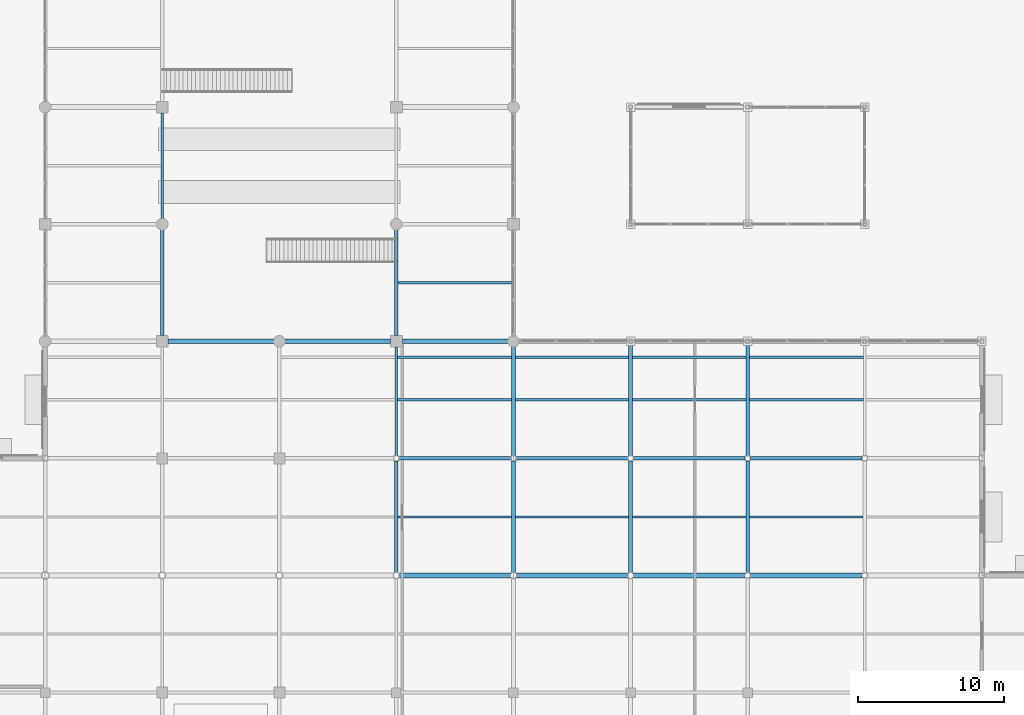
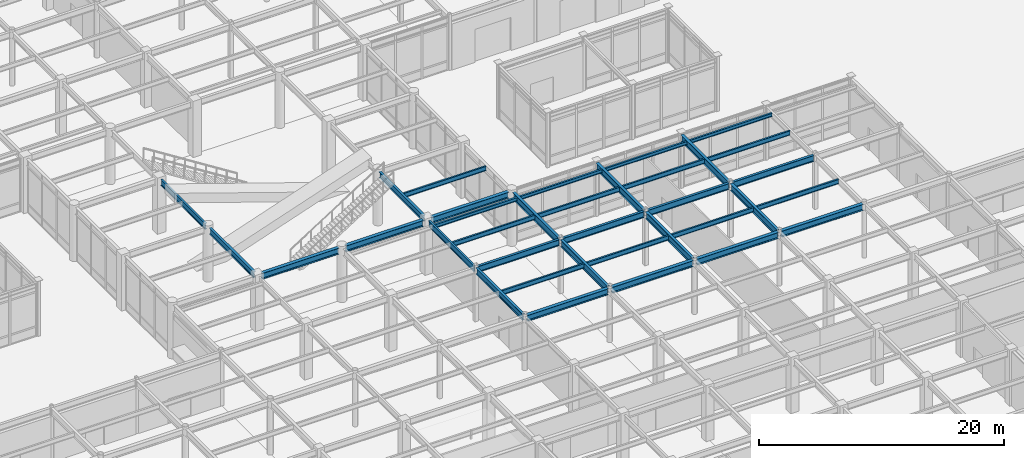
# One storey, part 52 of 128: 35 beams.
"""IFC4 building model written with IfcOpenShell, lengths in metres."""

import ifcopenshell
import ifcopenshell.guid

model = None  # the IFC model being written
_history = None  # IfcOwnerHistory: only IFC2X3 demands one
_inside = {}  # id of a spatial element -> (the spatial element, [elements in it])
_under = {}  # id of a project, library or spatial element -> (it, [spatial elements below it])
_declared = {}  # id of a project -> (the project, [libraries it declares])
_typed = {}  # id of a type object -> (the type object, [elements of that type])
_made_of = {}  # id of a material, layer set ... -> (it, [elements and type objects made of it])


def new_model(schema):
    """Start an empty IFC model of exactly this schema.

    Asked for "IFC4X3", IfcOpenShell would pick the latest addendum, in which some entities
    have other attributes; the version numbers below select the first issue.
    IFC2X3 requires an IfcOwnerHistory on every rooted entity: one is made here for all.
    """
    global model, _history
    if schema == "IFC4X3":
        model = ifcopenshell.file(schema_version=(4, 3, 0, 0))
    else:
        model = ifcopenshell.file(schema=schema)
    _inside.clear()
    _under.clear()
    _declared.clear()
    _typed.clear()
    _made_of.clear()
    _history = None
    if model.schema == "IFC2X3":
        org = make("IfcOrganization", Name="unknown")
        user = make(
            "IfcPersonAndOrganization",
            ThePerson=make("IfcPerson", FamilyName="unknown"),
            TheOrganization=org,
        )
        app = make(
            "IfcApplication",
            ApplicationDeveloper=org,
            Version="unknown",
            ApplicationFullName="unknown",
            ApplicationIdentifier="unknown",
        )
        _history = make(
            "IfcOwnerHistory",
            OwningUser=user,
            OwningApplication=app,
            ChangeAction="ADDED",
            CreationDate=0,
        )
    return model


def make(cls, **values):
    """One entity of the class cls with the attributes given. An attribute that is None is left unset."""
    return model.create_entity(
        cls, **{name: value for name, value in values.items() if value is not None}
    )


def rooted(cls, **values):
    """An entity with a GlobalId (a new one), such as an element, a storey or a relation."""
    return make(cls, GlobalId=ifcopenshell.guid.new(), OwnerHistory=_history, **values)


def si_unit(unit_type, name, prefix=None):
    """IfcSIUnit, for example si_unit("LENGTHUNIT", "METRE", prefix="MILLI")."""
    return make("IfcSIUnit", UnitType=unit_type, Prefix=prefix, Name=name)


def assignment(units):
    """IfcUnitAssignment: the units of a project."""
    return None if units is None else make("IfcUnitAssignment", Units=units)


def point(xyz):
    """IfcCartesianPoint."""
    return None if xyz is None else make("IfcCartesianPoint", Coordinates=xyz)


def direction(xyz):
    """IfcDirection."""
    return None if xyz is None else make("IfcDirection", DirectionRatios=xyz)


def frame(location, z_axis=None, x_axis=None):
    """IfcAxis2Placement3D, a coordinate frame: its origin and axes. An axis left out is left unset."""
    return make(
        "IfcAxis2Placement3D",
        Location=point(location),
        Axis=direction(z_axis),
        RefDirection=direction(x_axis),
    )


def frame_2d(location, x_axis=None):
    """IfcAxis2Placement2D, a coordinate frame in the plane: its origin and x axis."""
    return make(
        "IfcAxis2Placement2D", Location=point(location), RefDirection=direction(x_axis)
    )


def origin():
    """The frame at (0, 0, 0) with its axes left unset."""
    return frame((0.0, 0.0, 0.0))


def origin_2d():
    """The frame at (0, 0) in the plane with its x axis left unset."""
    return frame_2d((0.0, 0.0))


def place(relative_to, where):
    """IfcLocalPlacement: puts the frame where relative to a parent placement (None: the world)."""
    return make(
        "IfcLocalPlacement", PlacementRelTo=relative_to, RelativePlacement=where
    )


def context(
    kind, dimensions, precision=None, world=None, true_north=None, identifier=None
):
    """IfcGeometricRepresentationContext, for example the 3D "Model" context."""
    return make(
        "IfcGeometricRepresentationContext",
        ContextIdentifier=identifier,
        ContextType=kind,
        CoordinateSpaceDimension=dimensions,
        Precision=precision,
        WorldCoordinateSystem=world,
        TrueNorth=true_north,
    )


def subcontext(parent, identifier, kind, view, scale=None):
    """IfcGeometricRepresentationSubContext, for example "Body" below "Model"."""
    return make(
        "IfcGeometricRepresentationSubContext",
        ContextIdentifier=identifier,
        ContextType=kind,
        ParentContext=parent,
        TargetScale=scale,
        TargetView=view,
    )


def project(units=None, contexts=None):
    """IfcProject with its units and contexts."""
    return rooted(
        "IfcProject",
        Name="project",
        RepresentationContexts=contexts,
        UnitsInContext=assignment(units),
    )


def spatial(cls, under=None, at=None, **own):
    """A site, building, storey or space (cls), placed at a placement, below another one or the project."""
    s = rooted(cls, ObjectPlacement=at, **own)
    if under is not None:
        _under.setdefault(under.id(), (under, []))[1].append(s)
    return s


def profile(cls, at=None, kind="AREA", **sizes):
    """A parametric profile (cls). Its sizes go by their IFC names, for example OverallWidth=200.0."""
    return make(cls, ProfileType=kind, Position=at, **sizes)


def i_section(**sizes):
    """IfcIShapeProfileDef."""
    return profile("IfcIShapeProfileDef", **sizes)


def extrude(swept, where, along, depth):
    """IfcExtrudedAreaSolid: the profile swept, set in the frame where, extruded along a direction by depth."""
    return make(
        "IfcExtrudedAreaSolid",
        SweptArea=swept,
        Position=where,
        ExtrudedDirection=direction(along),
        Depth=depth,
    )


def shape(context_of_items, identifier, shape_type, items):
    """IfcShapeRepresentation: the items that make up one representation, for example the "Body"."""
    return make(
        "IfcShapeRepresentation",
        ContextOfItems=context_of_items,
        RepresentationIdentifier=identifier,
        RepresentationType=shape_type,
        Items=items,
    )


def material(Name=None, Category=None):
    """IfcMaterial."""
    return make("IfcMaterial", Name=Name, Category=Category)


def material_profile(
    of_material, cross_section, Name=None, Category=None, Priority=None
):
    """IfcMaterialProfile: a cross section and its material."""
    return make(
        "IfcMaterialProfile",
        Name=Name,
        Material=of_material,
        Profile=cross_section,
        Priority=Priority,
        Category=Category,
    )


def profile_set(profiles, Name=None, composite=None):
    """IfcMaterialProfileSet."""
    return make(
        "IfcMaterialProfileSet",
        Name=Name,
        MaterialProfiles=profiles,
        CompositeProfile=composite,
    )


def made_of(thing, what):
    """Note that an element or type object is made of a material, layer set ...; save() writes the relation."""
    if what is not None:
        _made_of.setdefault(what.id(), (what, []))[1].append(thing)
    return thing


def type_object(cls, material=None, **own):
    """A type object (cls), such as IfcWallType, which elements share."""
    return made_of(rooted(cls, **own), material)


def element(
    cls,
    number,
    at=None,
    inside=None,
    cuts=None,
    type_object=None,
    material=None,
    context=None,
    identifier="Body",
    shape_type=None,
    held_by="IfcProductDefinitionShape",
    body=None,
    shapes=None,
    **own,
):
    """One element of the class cls, such as IfcWall. Its Tag is "e" and its number.

    at: its placement. inside: the storey or other place that contains it. cuts: it is an
    opening in that element (IfcRelVoidsElement). A single representation is given by context,
    identifier, shape_type and body (its items); several are given by shapes. held_by: the class
    of the entity that holds the representations. save() writes the other relations.
    """
    e = rooted(cls, Tag="e%d" % number, ObjectPlacement=at, **own)
    if body is not None:
        shapes = [shape(context, identifier, shape_type, body)]
    if shapes is not None:
        e.Representation = make(held_by, Representations=shapes)
    if inside is not None:
        _inside.setdefault(inside.id(), (inside, []))[1].append(e)
    if cuts is not None:
        rooted(
            "IfcRelVoidsElement", RelatingBuildingElement=cuts, RelatedOpeningElement=e
        )
    if type_object is not None:
        _typed.setdefault(type_object.id(), (type_object, []))[1].append(e)
    return made_of(e, material)


def aggregate(whole, parts):
    """IfcRelAggregates: a whole, such as a stair, and the parts it consists of."""
    return rooted("IfcRelAggregates", RelatingObject=whole, RelatedObjects=parts)


def save(model, path):
    """Write the relations noted so far, then the file.

    IfcRelAggregates (storeys below a building ...), IfcRelContainedInSpatialStructure (elements
    in a storey), IfcRelDefinesByType, IfcRelAssociatesMaterial and IfcRelDeclares: one each for
    every whole, place, type object, material and project.
    """
    for whole, parts in _under.values():
        aggregate(whole, parts)
    for where, things in _inside.values():
        rooted(
            "IfcRelContainedInSpatialStructure",
            RelatedElements=things,
            RelatingStructure=where,
        )
    for kind, things in _typed.values():
        rooted("IfcRelDefinesByType", RelatedObjects=things, RelatingType=kind)
    for what, things in _made_of.values():
        rooted("IfcRelAssociatesMaterial", RelatedObjects=things, RelatingMaterial=what)
    for by, libraries in _declared.values():
        rooted("IfcRelDeclares", RelatingContext=by, RelatedDefinitions=libraries)
    model.write(path)


model = new_model("IFC4")

# Units and contexts
model_context = context("Model", 3, precision=1e-05, world=origin(), true_north=direction((0.0, 1.0)))
body_context = subcontext(model_context, "Body", "Model", "MODEL_VIEW")
ifc_project = project(units=[si_unit("LENGTHUNIT", "METRE"), si_unit("AREAUNIT", "SQUARE_METRE"), si_unit("VOLUMEUNIT", "CUBIC_METRE"), si_unit("PLANEANGLEUNIT", "RADIAN"), si_unit("MASSUNIT", "GRAM", prefix="KILO")], contexts=[model_context])

# Site, building, storey
site_placement = place(None, origin())
site = spatial("IfcSite", under=ifc_project, at=site_placement, CompositionType="ELEMENT")
building_placement = place(site_placement, origin())
building = spatial("IfcBuilding", under=site, at=building_placement, Name="Solmirada Galleria", CompositionType="ELEMENT")
storey_placement = place(building_placement, origin())
storey = spatial("IfcBuildingStorey", under=building, at=storey_placement, Name="L00", CompositionType="ELEMENT", Elevation=0.0)

# Beams
ifc_material = material(Name="Steel S355 / ASTM A992 Grade 50", Category="steel")
ifc_material_profile_1 = material_profile(ifc_material, i_section(OverallWidth=0.323974609375, OverallDepth=0.611083984375, WebThickness=0.0126953125, FlangeThickness=0.01904296875, FilletRadius=0.014892578125, at=origin_2d()), Name="W24X104")
ifc_profile_set_1 = profile_set([ifc_material_profile_1], Name="Steel S355 / ASTM A992 Grade 50")
beam_type_1 = type_object("IfcBeamType", Name="BM-GIRD-W24A", PredefinedType="BEAM", material=ifc_profile_set_1)
for number, where, z_axis, x_axis, name in (
    (1, (88.39990234375, 48.0, 5.074462890625), (1.0, 0.0, 0.0), (0.0, 1.0, 0.0), "Primary beam L01 X(88..96, 48)"),
    (2, (96.3359375, 48.0, 5.054443359375), (1.0, 0.0, 0.0), (0.0, 1.0, 0.0), "Primary beam L01 X(96..104, 48)"),
):
    element("IfcBeam", number, at=place(storey_placement, frame(where, z_axis=z_axis, x_axis=x_axis)), inside=storey, type_object=beam_type_1, Name=name, PredefinedType="BEAM", context=body_context, shape_type="SweptSolid", body=[
        extrude(i_section(OverallWidth=0.323974609375, OverallDepth=0.611083984375, WebThickness=0.0126953125, FlangeThickness=0.01904296875, FilletRadius=0.014892578125, at=origin_2d()), origin(), (0.0, 0.0, 1.0), 7.26416015625),
    ])
beam_1_placement = place(storey_placement, frame((104.19189453125, 32.0, 5.074462890625), z_axis=(1.0, 0.0, 0.0), x_axis=(0.0, 1.0, 0.0)))
element("IfcBeam", 3, at=beam_1_placement, inside=storey, type_object=beam_type_1, Name="Primary beam L01 X(104..112, 32)", PredefinedType="BEAM", context=body_context, shape_type="SweptSolid", body=[
    extrude(i_section(OverallWidth=0.323974609375, OverallDepth=0.611083984375, WebThickness=0.0126953125, FlangeThickness=0.01904296875, FilletRadius=0.014892578125, at=origin_2d()), origin(), (0.0, 0.0, 1.0), 7.6162109375),
])
beam_2_placement = place(storey_placement, frame((104.39990234375, 48.0, 5.054443359375), z_axis=(1.0, 0.0, 0.0), x_axis=(0.0, 1.0, 0.0)))
element("IfcBeam", 4, at=beam_2_placement, inside=storey, type_object=beam_type_1, Name="Primary beam L01 X(104..112, 48)", PredefinedType="BEAM", context=body_context, shape_type="SweptSolid", body=[
    extrude(i_section(OverallWidth=0.323974609375, OverallDepth=0.611083984375, WebThickness=0.0126953125, FlangeThickness=0.01904296875, FilletRadius=0.014892578125, at=origin_2d()), origin(), (0.0, 0.0, 1.0), 7.26416015625),
])
beam_3_placement = place(storey_placement, frame((112.19189453125, 32.0, 5.074462890625), z_axis=(1.0, 0.0, 0.0), x_axis=(0.0, 1.0, 0.0)))
element("IfcBeam", 5, at=beam_3_placement, inside=storey, type_object=beam_type_1, Name="Primary beam L01 X(112..120, 32)", PredefinedType="BEAM", context=body_context, shape_type="SweptSolid", body=[
    extrude(i_section(OverallWidth=0.323974609375, OverallDepth=0.611083984375, WebThickness=0.0126953125, FlangeThickness=0.01904296875, FilletRadius=0.014892578125, at=origin_2d()), origin(), (0.0, 0.0, 1.0), 7.6162109375),
])
beam_4_placement = place(storey_placement, frame((120.19189453125, 32.0, 5.074462890625), z_axis=(1.0, 0.0, 0.0), x_axis=(0.0, 1.0, 0.0)))
element("IfcBeam", 6, at=beam_4_placement, inside=storey, type_object=beam_type_1, Name="Primary beam L01 X(120..128, 32)", PredefinedType="BEAM", context=body_context, shape_type="SweptSolid", body=[
    extrude(i_section(OverallWidth=0.323974609375, OverallDepth=0.611083984375, WebThickness=0.0126953125, FlangeThickness=0.01904296875, FilletRadius=0.014892578125, at=origin_2d()), origin(), (0.0, 0.0, 1.0), 7.6376953125),
])
beam_5_placement = place(storey_placement, frame((128.17041015625, 32.0, 5.074462890625), z_axis=(1.0, 0.0, 0.0), x_axis=(0.0, 1.0, 0.0)))
element("IfcBeam", 7, at=beam_5_placement, inside=storey, type_object=beam_type_1, Name="Primary beam L01 X(128..136, 32)", PredefinedType="BEAM", context=body_context, shape_type="SweptSolid", body=[
    extrude(i_section(OverallWidth=0.323974609375, OverallDepth=0.611083984375, WebThickness=0.0126953125, FlangeThickness=0.01904296875, FilletRadius=0.014892578125, at=origin_2d()), origin(), (0.0, 0.0, 1.0), 7.6591796875),
])
ifc_material_profile_2 = material_profile(ifc_material, i_section(OverallWidth=0.22900390625, OverallDepth=0.612060546875, WebThickness=0.011962890625, FlangeThickness=0.01953125, FilletRadius=0.014892578125, at=origin_2d()), Name="W24X84")
ifc_profile_set_2 = profile_set([ifc_material_profile_2], Name="Steel S355 / ASTM A992 Grade 50")
beam_type_2 = type_object("IfcBeamType", Name="BM-GIRD-W24B", PredefinedType="BEAM", material=ifc_profile_set_2)
for number, where, z_axis, x_axis, name in (
    (8, (104.177978515625, 40.0, 5.073974609375), (1.0, 0.0, 0.0), (0.0, 1.0, 0.0), "Primary beam L01 X(104..112, 40)"),
    (9, (112.177978515625, 40.0, 5.073974609375), (1.0, 0.0, 0.0), (0.0, 1.0, 0.0), "Primary beam L01 X(112..120, 40)"),
    (10, (120.177978515625, 40.0, 5.073974609375), (1.0, 0.0, 0.0), (0.0, 1.0, 0.0), "Primary beam L01 X(120..128, 40)"),
    (11, (128.177978515625, 40.0, 5.073974609375), (1.0, 0.0, 0.0), (0.0, 1.0, 0.0), "Primary beam L01 X(128..136, 40)"),
):
    element("IfcBeam", number, at=place(storey_placement, frame(where, z_axis=z_axis, x_axis=x_axis)), inside=storey, type_object=beam_type_2, Name=name, PredefinedType="BEAM", context=body_context, shape_type="SweptSolid", body=[
        extrude(i_section(OverallWidth=0.22900390625, OverallDepth=0.612060546875, WebThickness=0.011962890625, FlangeThickness=0.01953125, FilletRadius=0.014892578125, at=origin_2d()), origin(), (0.0, 0.0, 1.0), 7.64404296875),
    ])
ifc_material_profile_3 = material_profile(ifc_material, i_section(OverallWidth=0.22802734375, OverallDepth=0.60302734375, WebThickness=0.010498046875, FlangeThickness=0.014892578125, FilletRadius=0.014892578125, at=origin_2d()), Name="W24X68")
ifc_profile_set_3 = profile_set([ifc_material_profile_3], Name="Steel S355 / ASTM A992 Grade 50")
beam_type_3 = type_object("IfcBeamType", Name="BM-GIRD-W24C", PredefinedType="BEAM", material=ifc_profile_set_3)
beam_6_placement = place(storey_placement, frame((88.0, 48.39990234375, 5.07861328125), z_axis=(0.0, 1.0, 0.0), x_axis=(-1.0, 0.0, 0.0)))
element("IfcBeam", 12, at=beam_6_placement, inside=storey, type_object=beam_type_3, Name="Primary girder L01 Y(88, 48..56)", PredefinedType="BEAM", context=body_context, shape_type="SweptSolid", body=[
    extrude(i_section(OverallWidth=0.22802734375, OverallDepth=0.60302734375, WebThickness=0.010498046875, FlangeThickness=0.014892578125, FilletRadius=0.014892578125, at=origin_2d()), origin(), (0.0, 0.0, 1.0), 7.26416015625),
])
beam_7_placement = place(storey_placement, frame((104.0, 32.19189453125, 5.07861328125), z_axis=(0.0, 1.0, 0.0), x_axis=(-1.0, 0.0, 0.0)))
element("IfcBeam", 13, at=beam_7_placement, inside=storey, type_object=beam_type_3, Name="Primary girder L01 Y(104, 32..40)", PredefinedType="BEAM", context=body_context, shape_type="SweptSolid", body=[
    extrude(i_section(OverallWidth=0.22802734375, OverallDepth=0.60302734375, WebThickness=0.010498046875, FlangeThickness=0.014892578125, FilletRadius=0.014892578125, at=origin_2d()), origin(), (0.0, 0.0, 1.0), 7.630126953125),
])
beam_8_placement = place(storey_placement, frame((104.0, 48.39990234375, 5.07861328125), z_axis=(0.0, 1.0, 0.0), x_axis=(-1.0, 0.0, 0.0)))
element("IfcBeam", 14, at=beam_8_placement, inside=storey, type_object=beam_type_3, Name="Primary girder L01 Y(104, 48..56)", PredefinedType="BEAM", context=body_context, shape_type="SweptSolid", body=[
    extrude(i_section(OverallWidth=0.22802734375, OverallDepth=0.60302734375, WebThickness=0.010498046875, FlangeThickness=0.014892578125, FilletRadius=0.014892578125, at=origin_2d()), origin(), (0.0, 0.0, 1.0), 7.26416015625),
])
ifc_material_profile_4 = material_profile(ifc_material, i_section(OverallWidth=0.177978515625, OverallDepth=0.59912109375, WebThickness=0.010009765625, FlangeThickness=0.0126953125, FilletRadius=0.013916015625, at=origin_2d()), Name="W24X55")
ifc_profile_set_4 = profile_set([ifc_material_profile_4], Name="Steel S355 / ASTM A992 Grade 50")
beam_type_4 = type_object("IfcBeamType", Name="BM-GIRD-W24D", PredefinedType="BEAM", material=ifc_profile_set_4)
beam_9_placement = place(storey_placement, frame((88.0, 56.3359375, 5.08056640625), z_axis=(0.0, 1.0, 0.0), x_axis=(-1.0, 0.0, 0.0)))
element("IfcBeam", 15, at=beam_9_placement, inside=storey, type_object=beam_type_4, Name="Primary girder L01 Y(88, 56..64)", PredefinedType="BEAM", context=body_context, shape_type="SweptSolid", body=[
    extrude(i_section(OverallWidth=0.177978515625, OverallDepth=0.59912109375, WebThickness=0.010009765625, FlangeThickness=0.0126953125, FilletRadius=0.013916015625, at=origin_2d()), origin(), (0.0, 0.0, 1.0), 7.26416015625),
])
beam_10_placement = place(storey_placement, frame((104.0, 40.177978515625, 5.060546875), z_axis=(0.0, 1.0, 0.0), x_axis=(-1.0, 0.0, 0.0)))
element("IfcBeam", 16, at=beam_10_placement, inside=storey, type_object=beam_type_4, Name="Primary girder L01 Y(104, 40..48)", PredefinedType="BEAM", context=body_context, shape_type="SweptSolid", body=[
    extrude(i_section(OverallWidth=0.177978515625, OverallDepth=0.59912109375, WebThickness=0.010009765625, FlangeThickness=0.0126953125, FilletRadius=0.013916015625, at=origin_2d()), origin(), (0.0, 0.0, 1.0), 7.422119140625),
])
ifc_material_profile_5 = material_profile(ifc_material, i_section(OverallWidth=0.256103515625, OverallDepth=0.693115234375, WebThickness=0.014404296875, FlangeThickness=0.023681640625, FilletRadius=0.01806640625, at=origin_2d()), Name="W27X114")
ifc_profile_set_5 = profile_set([ifc_material_profile_5], Name="Steel S355 / ASTM A992 Grade 50")
beam_type_5 = type_object("IfcBeamType", Name="BM-GIRD-W27A", PredefinedType="BEAM", material=ifc_profile_set_5)
beam_11_placement = place(storey_placement, frame((120.0, 32.19189453125, 5.033447265625), z_axis=(0.0, 1.0, 0.0), x_axis=(-1.0, 0.0, 0.0)))
element("IfcBeam", 17, at=beam_11_placement, inside=storey, type_object=beam_type_5, Name="Primary girder L01 Y(120, 32..40)", PredefinedType="BEAM", context=body_context, shape_type="SweptSolid", body=[
    extrude(i_section(OverallWidth=0.256103515625, OverallDepth=0.693115234375, WebThickness=0.014404296875, FlangeThickness=0.023681640625, FilletRadius=0.01806640625, at=origin_2d()), origin(), (0.0, 0.0, 1.0), 7.630126953125),
])
beam_12_placement = place(storey_placement, frame((120.0, 40.177978515625, 5.013427734375), z_axis=(0.0, 1.0, 0.0), x_axis=(-1.0, 0.0, 0.0)))
element("IfcBeam", 18, at=beam_12_placement, inside=storey, type_object=beam_type_5, Name="Primary girder L01 Y(120, 40..48)", PredefinedType="BEAM", context=body_context, shape_type="SweptSolid", body=[
    extrude(i_section(OverallWidth=0.256103515625, OverallDepth=0.693115234375, WebThickness=0.014404296875, FlangeThickness=0.023681640625, FilletRadius=0.01806640625, at=origin_2d()), origin(), (0.0, 0.0, 1.0), 7.695068359375),
])
ifc_material_profile_6 = material_profile(ifc_material, i_section(OverallWidth=0.25390625, OverallDepth=0.68408203125, WebThickness=0.012451171875, FlangeThickness=0.018798828125, FilletRadius=0.01708984375, at=origin_2d()), Name="W27X94")
ifc_profile_set_6 = profile_set([ifc_material_profile_6], Name="Steel S355 / ASTM A992 Grade 50")
beam_type_6 = type_object("IfcBeamType", Name="BM-GIRD-W27B", PredefinedType="BEAM", material=ifc_profile_set_6)
beam_13_placement = place(storey_placement, frame((112.0, 32.19189453125, 5.0380859375), z_axis=(0.0, 1.0, 0.0), x_axis=(-1.0, 0.0, 0.0)))
element("IfcBeam", 19, at=beam_13_placement, inside=storey, type_object=beam_type_6, Name="Primary girder L01 Y(112, 32..40)", PredefinedType="BEAM", context=body_context, shape_type="SweptSolid", body=[
    extrude(i_section(OverallWidth=0.25390625, OverallDepth=0.68408203125, WebThickness=0.012451171875, FlangeThickness=0.018798828125, FilletRadius=0.01708984375, at=origin_2d()), origin(), (0.0, 0.0, 1.0), 7.630126953125),
])
beam_14_placement = place(storey_placement, frame((112.0, 40.177978515625, 5.01806640625), z_axis=(0.0, 1.0, 0.0), x_axis=(-1.0, 0.0, 0.0)))
element("IfcBeam", 20, at=beam_14_placement, inside=storey, type_object=beam_type_6, Name="Primary girder L01 Y(112, 40..48)", PredefinedType="BEAM", context=body_context, shape_type="SweptSolid", body=[
    extrude(i_section(OverallWidth=0.25390625, OverallDepth=0.68408203125, WebThickness=0.012451171875, FlangeThickness=0.018798828125, FilletRadius=0.01708984375, at=origin_2d()), origin(), (0.0, 0.0, 1.0), 7.486083984375),
])
beam_15_placement = place(storey_placement, frame((128.0, 32.17041015625, 5.0380859375), z_axis=(0.0, 1.0, 0.0), x_axis=(-1.0, 0.0, 0.0)))
element("IfcBeam", 21, at=beam_15_placement, inside=storey, type_object=beam_type_6, Name="Primary girder L01 Y(128, 32..40)", PredefinedType="BEAM", context=body_context, shape_type="SweptSolid", body=[
    extrude(i_section(OverallWidth=0.25390625, OverallDepth=0.68408203125, WebThickness=0.012451171875, FlangeThickness=0.018798828125, FilletRadius=0.01708984375, at=origin_2d()), origin(), (0.0, 0.0, 1.0), 7.651611328125),
])
beam_16_placement = place(storey_placement, frame((128.0, 40.177978515625, 5.01806640625), z_axis=(0.0, 1.0, 0.0), x_axis=(-1.0, 0.0, 0.0)))
element("IfcBeam", 22, at=beam_16_placement, inside=storey, type_object=beam_type_6, Name="Primary girder L01 Y(128, 40..48)", PredefinedType="BEAM", context=body_context, shape_type="SweptSolid", body=[
    extrude(i_section(OverallWidth=0.25390625, OverallDepth=0.68408203125, WebThickness=0.012451171875, FlangeThickness=0.018798828125, FilletRadius=0.01708984375, at=origin_2d()), origin(), (0.0, 0.0, 1.0), 7.695068359375),
])
ifc_material_profile_7 = material_profile(ifc_material, i_section(OverallWidth=0.1708984375, OverallDepth=0.35205078125, WebThickness=0.0068359375, FlangeThickness=0.009765625, FilletRadius=0.010986328125, at=origin_2d()), Name="W14X30")
ifc_profile_set_7 = profile_set([ifc_material_profile_7], Name="Steel S355 / ASTM A992 Grade 50")
beam_type_7 = type_object("IfcBeamType", Name="BM-JST-W14B", PredefinedType="JOIST", material=ifc_profile_set_7)
beam_17_placement = place(storey_placement, frame((104.089111328125, 46.89990234375, 5.18408203125), z_axis=(1.0, 0.0, 0.0), x_axis=(0.0, 1.0, 0.0)))
element("IfcBeam", 23, at=beam_17_placement, inside=storey, type_object=beam_type_7, Name="Terrace deck joist L01-TERR-SE X=104..112 (2)", PredefinedType="JOIST", context=body_context, shape_type="SweptSolid", body=[
    extrude(i_section(OverallWidth=0.1708984375, OverallDepth=0.35205078125, WebThickness=0.0068359375, FlangeThickness=0.009765625, FilletRadius=0.010986328125, at=origin_2d()), origin(), (0.0, 0.0, 1.0), 7.783935546875),
])
for number, where, z_axis, x_axis, name in (
    (24, (112.126953125, 46.89990234375, 5.18408203125), (1.0, 0.0, 0.0), (0.0, 1.0, 0.0), "Terrace deck joist L01-TERR-SE X=112..120 (2)"),
    (25, (120.1279296875, 46.89990234375, 5.18408203125), (1.0, 0.0, 0.0), (0.0, 1.0, 0.0), "Terrace deck joist L01-TERR-SE X=120..128 (2)"),
):
    element("IfcBeam", number, at=place(storey_placement, frame(where, z_axis=z_axis, x_axis=x_axis)), inside=storey, type_object=beam_type_7, Name=name, PredefinedType="JOIST", context=body_context, shape_type="SweptSolid", body=[
        extrude(i_section(OverallWidth=0.1708984375, OverallDepth=0.35205078125, WebThickness=0.0068359375, FlangeThickness=0.009765625, FilletRadius=0.010986328125, at=origin_2d()), origin(), (0.0, 0.0, 1.0), 7.7451171875),
    ])
beam_18_placement = place(storey_placement, frame((128.126953125, 46.89990234375, 5.18408203125), z_axis=(1.0, 0.0, 0.0), x_axis=(0.0, 1.0, 0.0)))
element("IfcBeam", 26, at=beam_18_placement, inside=storey, type_object=beam_type_7, Name="Terrace deck joist L01-TERR-SE X=128..136 (2)", PredefinedType="JOIST", context=body_context, shape_type="SweptSolid", body=[
    extrude(i_section(OverallWidth=0.1708984375, OverallDepth=0.35205078125, WebThickness=0.0068359375, FlangeThickness=0.009765625, FilletRadius=0.010986328125, at=origin_2d()), origin(), (0.0, 0.0, 1.0), 7.783935546875),
])
ifc_material_profile_8 = material_profile(ifc_material, i_section(OverallWidth=0.153076171875, OverallDepth=0.455078125, WebThickness=0.008056640625, FlangeThickness=0.01318359375, FilletRadius=0.011962890625, at=origin_2d()), Name="W18X40")
ifc_profile_set_8 = profile_set([ifc_material_profile_8], Name="Steel S355 / ASTM A992 Grade 50")
beam_type_8 = type_object("IfcBeamType", Name="BM-JST-W18A", PredefinedType="JOIST", material=ifc_profile_set_8)
beam_19_placement = place(storey_placement, frame((104.114013671875, 36.0, 5.152587890625), z_axis=(1.0, 0.0, 0.0), x_axis=(0.0, 1.0, 0.0)))
element("IfcBeam", 27, at=beam_19_placement, inside=storey, type_object=beam_type_8, Name="Composite floor joist L01 (104..112, 36.0)", PredefinedType="JOIST", context=body_context, shape_type="SweptSolid", body=[
    extrude(i_section(OverallWidth=0.153076171875, OverallDepth=0.455078125, WebThickness=0.008056640625, FlangeThickness=0.01318359375, FilletRadius=0.011962890625, at=origin_2d()), origin(), (0.0, 0.0, 1.0), 7.759033203125),
])
beam_20_placement = place(storey_placement, frame((104.089111328125, 44.0, 5.132568359375), z_axis=(1.0, 0.0, 0.0), x_axis=(0.0, 1.0, 0.0)))
element("IfcBeam", 28, at=beam_20_placement, inside=storey, type_object=beam_type_8, Name="Composite floor joist L01 (104..112, 44.0)", PredefinedType="JOIST", context=body_context, shape_type="SweptSolid", body=[
    extrude(i_section(OverallWidth=0.153076171875, OverallDepth=0.455078125, WebThickness=0.008056640625, FlangeThickness=0.01318359375, FilletRadius=0.011962890625, at=origin_2d()), origin(), (0.0, 0.0, 1.0), 7.783935546875),
])
beam_21_placement = place(storey_placement, frame((104.114013671875, 52.0, 5.152587890625), z_axis=(1.0, 0.0, 0.0), x_axis=(0.0, 1.0, 0.0)))
element("IfcBeam", 29, at=beam_21_placement, inside=storey, type_object=beam_type_8, Name="Composite floor joist L01 (104..112, 52.0)", PredefinedType="JOIST", context=body_context, shape_type="SweptSolid", body=[
    extrude(i_section(OverallWidth=0.153076171875, OverallDepth=0.455078125, WebThickness=0.008056640625, FlangeThickness=0.01318359375, FilletRadius=0.011962890625, at=origin_2d()), origin(), (0.0, 0.0, 1.0), 7.759033203125),
])
for number, where, z_axis, x_axis, name in (
    (30, (112.126953125, 36.0, 5.152587890625), (1.0, 0.0, 0.0), (0.0, 1.0, 0.0), "Composite floor joist L01 (112..120, 36.0)"),
    (31, (112.126953125, 44.0, 5.132568359375), (1.0, 0.0, 0.0), (0.0, 1.0, 0.0), "Composite floor joist L01 (112..120, 44.0)"),
    (32, (120.1279296875, 36.0, 5.152587890625), (1.0, 0.0, 0.0), (0.0, 1.0, 0.0), "Composite floor joist L01 (120..128, 36.0)"),
    (33, (120.1279296875, 44.0, 5.132568359375), (1.0, 0.0, 0.0), (0.0, 1.0, 0.0), "Composite floor joist L01 (120..128, 44.0)"),
):
    element("IfcBeam", number, at=place(storey_placement, frame(where, z_axis=z_axis, x_axis=x_axis)), inside=storey, type_object=beam_type_8, Name=name, PredefinedType="JOIST", context=body_context, shape_type="SweptSolid", body=[
        extrude(i_section(OverallWidth=0.153076171875, OverallDepth=0.455078125, WebThickness=0.008056640625, FlangeThickness=0.01318359375, FilletRadius=0.011962890625, at=origin_2d()), origin(), (0.0, 0.0, 1.0), 7.7451171875),
    ])
beam_22_placement = place(storey_placement, frame((128.126953125, 36.0, 5.152587890625), z_axis=(1.0, 0.0, 0.0), x_axis=(0.0, 1.0, 0.0)))
element("IfcBeam", 34, at=beam_22_placement, inside=storey, type_object=beam_type_8, Name="Composite floor joist L01 (128..136, 36.0)", PredefinedType="JOIST", context=body_context, shape_type="SweptSolid", body=[
    extrude(i_section(OverallWidth=0.153076171875, OverallDepth=0.455078125, WebThickness=0.008056640625, FlangeThickness=0.01318359375, FilletRadius=0.011962890625, at=origin_2d()), origin(), (0.0, 0.0, 1.0), 7.759033203125),
])
beam_23_placement = place(storey_placement, frame((128.126953125, 44.0, 5.132568359375), z_axis=(1.0, 0.0, 0.0), x_axis=(0.0, 1.0, 0.0)))
element("IfcBeam", 35, at=beam_23_placement, inside=storey, type_object=beam_type_8, Name="Composite floor joist L01 (128..136, 44.0)", PredefinedType="JOIST", context=body_context, shape_type="SweptSolid", body=[
    extrude(i_section(OverallWidth=0.153076171875, OverallDepth=0.455078125, WebThickness=0.008056640625, FlangeThickness=0.01318359375, FilletRadius=0.011962890625, at=origin_2d()), origin(), (0.0, 0.0, 1.0), 7.783935546875),
])

save(model, "model.ifc")
